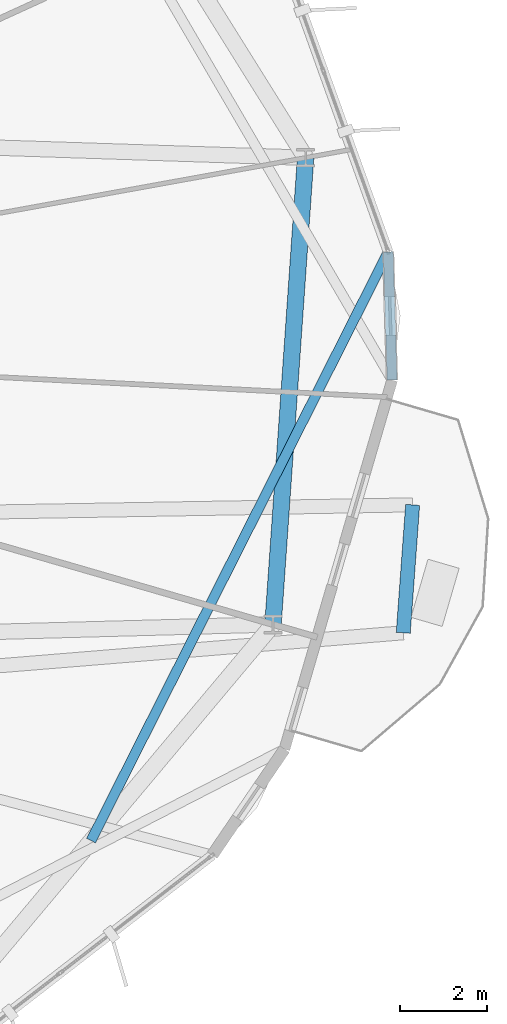
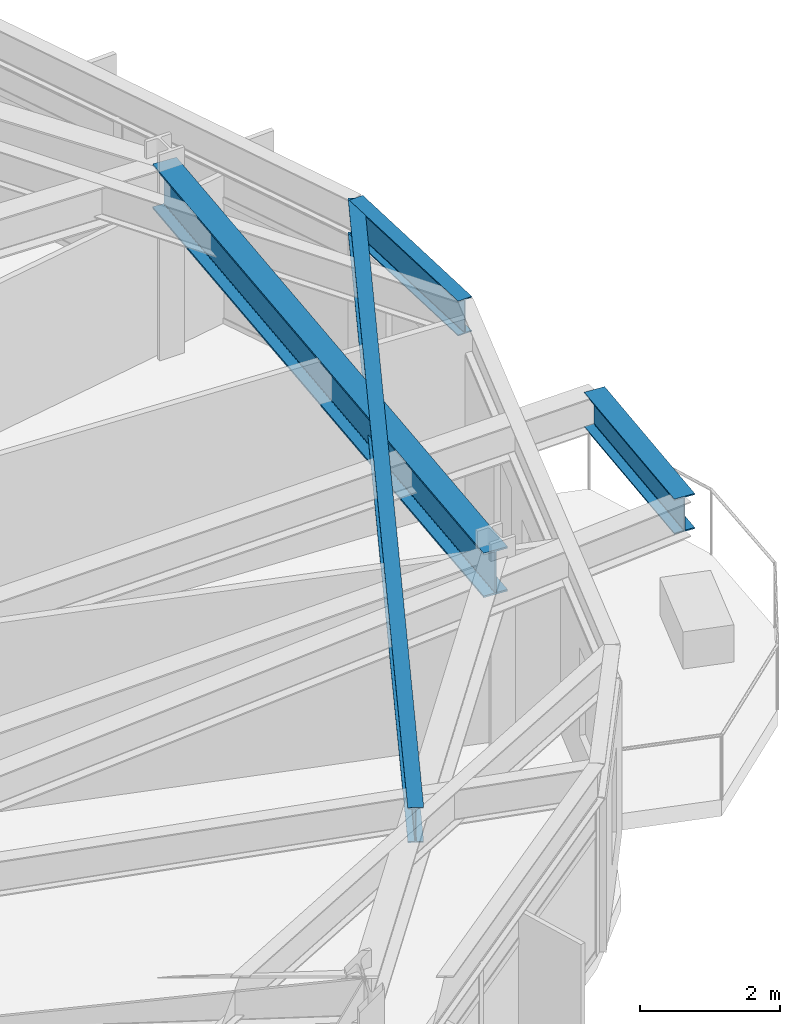
# One storey, part 10 of 23: 4 beams.
"""IFC4 building model written with IfcOpenShell, lengths in metres."""

from ifc_helpers import new_model, si_unit, direction, frame, origin, origin_2d, place, context, subcontext, project, spatial, i_section, extrude, material, material_profile, profile_set, type_object, element, save


model = new_model("IFC4")

# Units and contexts
model_context = context("Model", 3, precision=1e-05, world=origin(), true_north=direction((0.0, 1.0)))
body_context = subcontext(model_context, "Body", "Model", "MODEL_VIEW")
ifc_project = project(units=[si_unit("LENGTHUNIT", "METRE"), si_unit("AREAUNIT", "SQUARE_METRE"), si_unit("VOLUMEUNIT", "CUBIC_METRE"), si_unit("PLANEANGLEUNIT", "RADIAN"), si_unit("MASSUNIT", "GRAM", prefix="KILO")], contexts=[model_context])

# Site, building, storey
site_placement = place(None, origin())
site = spatial("IfcSite", under=ifc_project, at=site_placement, CompositionType="ELEMENT")
building_placement = place(site_placement, origin())
building = spatial("IfcBuilding", under=site, at=building_placement, Name="Soratama Intermodal Tower", CompositionType="ELEMENT")
storey_placement = place(building_placement, frame((0.0, 0.0, 171.39990234375)))
storey = spatial("IfcBuildingStorey", under=building, at=storey_placement, Name="L42", CompositionType="ELEMENT", Elevation=171.39990234375)

# Beams
ifc_material_1 = material(Name="Structural steel ASTM A992 Grade 50", Category="steel")
ifc_material_profile_1 = material_profile(ifc_material_1, i_section(OverallWidth=0.324951171875, OverallDepth=0.615966796875, WebThickness=0.013916015625, FlangeThickness=0.021484375, FilletRadius=0.013916015625, at=origin_2d()), Name="W24X117")
ifc_profile_set_1 = profile_set([ifc_material_profile_1], Name="Structural steel ASTM A992 Grade 50")
beam_type_1 = type_object("IfcBeamType", Name="BM-CANT-W24X117", PredefinedType="BEAM", material=ifc_profile_set_1)
beam_1_placement = place(storey_placement, frame((64.237060546875, 18.2509765625, 2.9921875), z_axis=(0.073201368393, 0.997317181074, 0.0), x_axis=(-0.997317181074, 0.073201368393, 0.0)))
element("IfcBeam", 1, at=beam_1_placement, inside=storey, type_object=beam_type_1, Name="BM-L42-CBHDR-1", PredefinedType="BEAM", context=body_context, shape_type="SweptSolid", body=[
    extrude(i_section(OverallWidth=0.324951171875, OverallDepth=0.615966796875, WebThickness=0.013916015625, FlangeThickness=0.021484375, FilletRadius=0.013916015625, at=origin_2d()), origin(), (0.0, 0.0, 1.0), 2.965087890625),
])
ifc_material_2 = material(Name="Structural steel ASTM A992 Grade 50", Category="steel")
ifc_material_profile_2 = material_profile(ifc_material_2, i_section(OverallWidth=0.382080078125, OverallDepth=0.779052734375, WebThickness=0.01806640625, FlangeThickness=0.030029296875, FilletRadius=0.01806640625, at=origin_2d()), Name="W30X191")
ifc_profile_set_2 = profile_set([ifc_material_profile_2], Name="Structural steel ASTM A992 Grade 50")
beam_type_2 = type_object("IfcBeamType", Name="BM-RING-W30X191", PredefinedType="BEAM", material=ifc_profile_set_2)
beam_2_placement = place(storey_placement, frame((61.22607421875, 18.444091796875, 2.91064453125), z_axis=(0.069702217409, 0.99756784275, 0.0), x_axis=(-0.99756784275, 0.069702217409, 0.0)))
element("IfcBeam", 2, at=beam_2_placement, inside=storey, type_object=beam_type_2, Name="BM-L42-RING-10", PredefinedType="BEAM", context=body_context, shape_type="SweptSolid", body=[
    extrude(i_section(OverallWidth=0.382080078125, OverallDepth=0.779052734375, WebThickness=0.01806640625, FlangeThickness=0.030029296875, FilletRadius=0.01806640625, at=origin_2d()), origin(), (0.0, 0.0, 1.0), 10.816162109375),
])
ifc_material_3 = material(Name="Structural steel ASTM A992 Grade 50", Category="steel")
ifc_material_profile_3 = material_profile(ifc_material_3, i_section(OverallWidth=0.22900390625, OverallDepth=0.612060546875, WebThickness=0.011962890625, FlangeThickness=0.01953125, FilletRadius=0.012939453125, at=origin_2d()), Name="W24X84")
ifc_profile_set_3 = profile_set([ifc_material_profile_3], Name="Structural steel ASTM A992 Grade 50")
beam_type_3 = type_object("IfcBeamType", Name="BM-SPN-W24X84", PredefinedType="SPANDREL", material=ifc_profile_set_3)
beam_3_placement = place(storey_placement, frame((63.97998046875, 24.093017578125, 2.994140625), z_axis=(-0.030368859808, 0.999538759806, 0.0), x_axis=(-0.999538759806, -0.030368859808, 0.0)))
element("IfcBeam", 3, at=beam_3_placement, inside=storey, type_object=beam_type_3, Name="BS-L42-CRN09", PredefinedType="SPANDREL", context=body_context, shape_type="SweptSolid", body=[
    extrude(i_section(OverallWidth=0.22900390625, OverallDepth=0.612060546875, WebThickness=0.011962890625, FlangeThickness=0.01953125, FilletRadius=0.012939453125, at=origin_2d()), origin(), (0.0, 0.0, 1.0), 2.966552734375),
])
ifc_material_4 = material(Name="Structural steel ASTM A992 Grade 50", Category="steel")
ifc_material_profile_4 = material_profile(ifc_material_4, i_section(OverallWidth=0.22900390625, OverallDepth=0.612060546875, WebThickness=0.011962890625, FlangeThickness=0.01953125, FilletRadius=0.012939453125, at=origin_2d()), Name="W24X84")
ifc_profile_set_4 = profile_set([ifc_material_profile_4], Name="Structural steel ASTM A992 Grade 50")
beam_type_4 = type_object("IfcBeamType", Name="BM-TIE-W24X84", PredefinedType="BEAM", material=ifc_profile_set_4)
beam_4_placement = place(storey_placement, frame((57.01904296875, 13.446044921875, 2.994140625), z_axis=(0.450611202035, 0.892720305919, 0.0), x_axis=(-0.892720305919, 0.450611202035, 0.0)))
element("IfcBeam", 4, at=beam_4_placement, inside=storey, type_object=beam_type_4, Name="BM-L42-TIE0-10", PredefinedType="BEAM", context=body_context, shape_type="SweptSolid", body=[
    extrude(i_section(OverallWidth=0.22900390625, OverallDepth=0.612060546875, WebThickness=0.011962890625, FlangeThickness=0.01953125, FilletRadius=0.012939453125, at=origin_2d()), origin(), (0.0, 0.0, 1.0), 15.247802734375),
])

save(model, "model.ifc")
